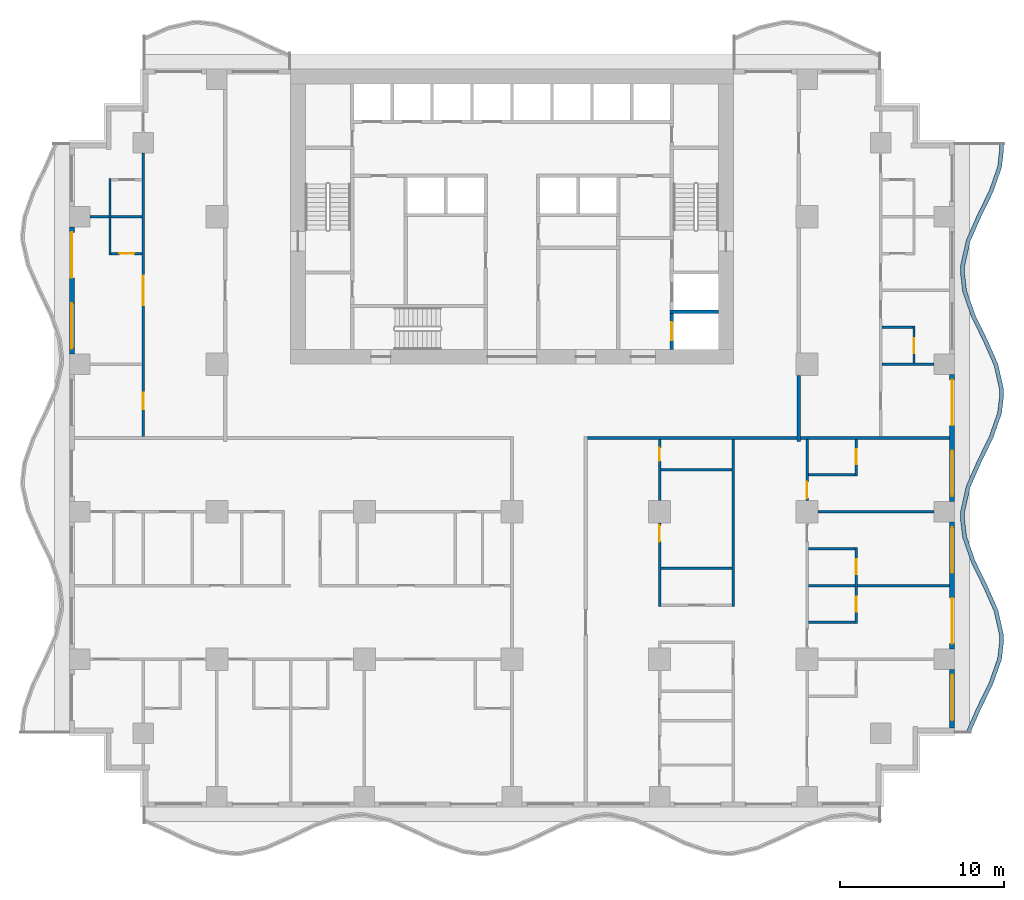
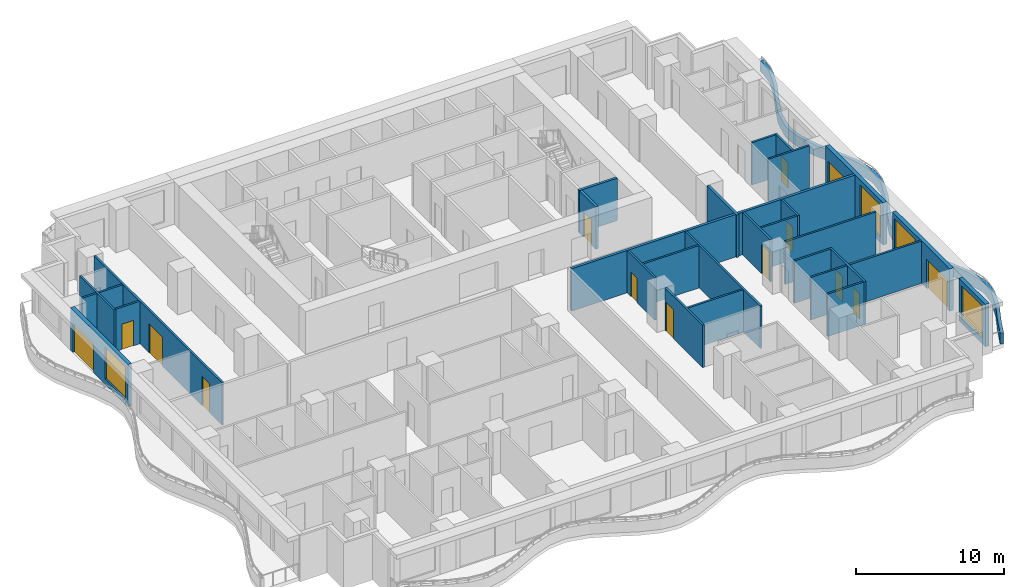
# One storey, part 4 of 14: 32 walls, 14 doors, 4 windows, 18 openings.
"""IFC4 building model written with IfcOpenShell, lengths in metres."""

import ifcopenshell
import ifcopenshell.guid

model = None  # the IFC model being written
_history = None  # IfcOwnerHistory: only IFC2X3 demands one
_inside = {}  # id of a spatial element -> (the spatial element, [elements in it])
_under = {}  # id of a project, library or spatial element -> (it, [spatial elements below it])
_declared = {}  # id of a project -> (the project, [libraries it declares])
_typed = {}  # id of a type object -> (the type object, [elements of that type])
_made_of = {}  # id of a material, layer set ... -> (it, [elements and type objects made of it])


def new_model(schema):
    """Start an empty IFC model of exactly this schema.

    Asked for "IFC4X3", IfcOpenShell would pick the latest addendum, in which some entities
    have other attributes; the version numbers below select the first issue.
    IFC2X3 requires an IfcOwnerHistory on every rooted entity: one is made here for all.
    """
    global model, _history
    if schema == "IFC4X3":
        model = ifcopenshell.file(schema_version=(4, 3, 0, 0))
    else:
        model = ifcopenshell.file(schema=schema)
    _inside.clear()
    _under.clear()
    _declared.clear()
    _typed.clear()
    _made_of.clear()
    _history = None
    if model.schema == "IFC2X3":
        org = make("IfcOrganization", Name="unknown")
        user = make(
            "IfcPersonAndOrganization",
            ThePerson=make("IfcPerson", FamilyName="unknown"),
            TheOrganization=org,
        )
        app = make(
            "IfcApplication",
            ApplicationDeveloper=org,
            Version="unknown",
            ApplicationFullName="unknown",
            ApplicationIdentifier="unknown",
        )
        _history = make(
            "IfcOwnerHistory",
            OwningUser=user,
            OwningApplication=app,
            ChangeAction="ADDED",
            CreationDate=0,
        )
    return model


def make(cls, **values):
    """One entity of the class cls with the attributes given. An attribute that is None is left unset."""
    return model.create_entity(
        cls, **{name: value for name, value in values.items() if value is not None}
    )


def rooted(cls, **values):
    """An entity with a GlobalId (a new one), such as an element, a storey or a relation."""
    return make(cls, GlobalId=ifcopenshell.guid.new(), OwnerHistory=_history, **values)


def si_unit(unit_type, name, prefix=None):
    """IfcSIUnit, for example si_unit("LENGTHUNIT", "METRE", prefix="MILLI")."""
    return make("IfcSIUnit", UnitType=unit_type, Prefix=prefix, Name=name)


def assignment(units):
    """IfcUnitAssignment: the units of a project."""
    return None if units is None else make("IfcUnitAssignment", Units=units)


def point(xyz):
    """IfcCartesianPoint."""
    return None if xyz is None else make("IfcCartesianPoint", Coordinates=xyz)


def direction(xyz):
    """IfcDirection."""
    return None if xyz is None else make("IfcDirection", DirectionRatios=xyz)


def frame(location, z_axis=None, x_axis=None):
    """IfcAxis2Placement3D, a coordinate frame: its origin and axes. An axis left out is left unset."""
    return make(
        "IfcAxis2Placement3D",
        Location=point(location),
        Axis=direction(z_axis),
        RefDirection=direction(x_axis),
    )


def frame_2d(location, x_axis=None):
    """IfcAxis2Placement2D, a coordinate frame in the plane: its origin and x axis."""
    return make(
        "IfcAxis2Placement2D", Location=point(location), RefDirection=direction(x_axis)
    )


def origin():
    """The frame at (0, 0, 0) with its axes left unset."""
    return frame((0.0, 0.0, 0.0))


def place(relative_to, where):
    """IfcLocalPlacement: puts the frame where relative to a parent placement (None: the world)."""
    return make(
        "IfcLocalPlacement", PlacementRelTo=relative_to, RelativePlacement=where
    )


def context(
    kind, dimensions, precision=None, world=None, true_north=None, identifier=None
):
    """IfcGeometricRepresentationContext, for example the 3D "Model" context."""
    return make(
        "IfcGeometricRepresentationContext",
        ContextIdentifier=identifier,
        ContextType=kind,
        CoordinateSpaceDimension=dimensions,
        Precision=precision,
        WorldCoordinateSystem=world,
        TrueNorth=true_north,
    )


def subcontext(parent, identifier, kind, view, scale=None):
    """IfcGeometricRepresentationSubContext, for example "Body" below "Model"."""
    return make(
        "IfcGeometricRepresentationSubContext",
        ContextIdentifier=identifier,
        ContextType=kind,
        ParentContext=parent,
        TargetScale=scale,
        TargetView=view,
    )


def project(units=None, contexts=None):
    """IfcProject with its units and contexts."""
    return rooted(
        "IfcProject",
        Name="project",
        RepresentationContexts=contexts,
        UnitsInContext=assignment(units),
    )


def spatial(cls, under=None, at=None, **own):
    """A site, building, storey or space (cls), placed at a placement, below another one or the project."""
    s = rooted(cls, ObjectPlacement=at, **own)
    if under is not None:
        _under.setdefault(under.id(), (under, []))[1].append(s)
    return s


def polyline(points):
    """IfcPolyline through the points."""
    return make("IfcPolyline", Points=[point(p) for p in points])


def profile(cls, at=None, kind="AREA", **sizes):
    """A parametric profile (cls). Its sizes go by their IFC names, for example OverallWidth=200.0."""
    return make(cls, ProfileType=kind, Position=at, **sizes)


def rectangle(**sizes):
    """IfcRectangleProfileDef."""
    return profile("IfcRectangleProfileDef", **sizes)


def outline(outer, holes=None, kind="AREA"):
    """IfcArbitraryClosedProfileDef: a profile drawn as a closed curve; with holes, ...WithVoids."""
    if holes is None:
        return make("IfcArbitraryClosedProfileDef", ProfileType=kind, OuterCurve=outer)
    return make(
        "IfcArbitraryProfileDefWithVoids",
        ProfileType=kind,
        OuterCurve=outer,
        InnerCurves=holes,
    )


def extrude(swept, where, along, depth):
    """IfcExtrudedAreaSolid: the profile swept, set in the frame where, extruded along a direction by depth."""
    return make(
        "IfcExtrudedAreaSolid",
        SweptArea=swept,
        Position=where,
        ExtrudedDirection=direction(along),
        Depth=depth,
    )


def shape(context_of_items, identifier, shape_type, items):
    """IfcShapeRepresentation: the items that make up one representation, for example the "Body"."""
    return make(
        "IfcShapeRepresentation",
        ContextOfItems=context_of_items,
        RepresentationIdentifier=identifier,
        RepresentationType=shape_type,
        Items=items,
    )


def material(Name=None, Category=None):
    """IfcMaterial."""
    return make("IfcMaterial", Name=Name, Category=Category)


def layer(
    of_material, thickness, ventilated=None, Name=None, Category=None, Priority=None
):
    """IfcMaterialLayer: one layer of a wall or slab, of a material (None: an air gap)."""
    return make(
        "IfcMaterialLayer",
        Material=of_material,
        LayerThickness=thickness,
        IsVentilated=ventilated,
        Name=Name,
        Category=Category,
        Priority=Priority,
    )


def layer_set(layers, Name=None):
    """IfcMaterialLayerSet."""
    return make("IfcMaterialLayerSet", MaterialLayers=layers, LayerSetName=Name)


def made_of(thing, what):
    """Note that an element or type object is made of a material, layer set ...; save() writes the relation."""
    if what is not None:
        _made_of.setdefault(what.id(), (what, []))[1].append(thing)
    return thing


def type_object(cls, material=None, **own):
    """A type object (cls), such as IfcWallType, which elements share."""
    return made_of(rooted(cls, **own), material)


def element(
    cls,
    number,
    at=None,
    inside=None,
    cuts=None,
    type_object=None,
    material=None,
    context=None,
    identifier="Body",
    shape_type=None,
    held_by="IfcProductDefinitionShape",
    body=None,
    shapes=None,
    **own,
):
    """One element of the class cls, such as IfcWall. Its Tag is "e" and its number.

    at: its placement. inside: the storey or other place that contains it. cuts: it is an
    opening in that element (IfcRelVoidsElement). A single representation is given by context,
    identifier, shape_type and body (its items); several are given by shapes. held_by: the class
    of the entity that holds the representations. save() writes the other relations.
    """
    e = rooted(cls, Tag="e%d" % number, ObjectPlacement=at, **own)
    if body is not None:
        shapes = [shape(context, identifier, shape_type, body)]
    if shapes is not None:
        e.Representation = make(held_by, Representations=shapes)
    if inside is not None:
        _inside.setdefault(inside.id(), (inside, []))[1].append(e)
    if cuts is not None:
        rooted(
            "IfcRelVoidsElement", RelatingBuildingElement=cuts, RelatedOpeningElement=e
        )
    if type_object is not None:
        _typed.setdefault(type_object.id(), (type_object, []))[1].append(e)
    return made_of(e, material)


def fill(opening, filler):
    """IfcRelFillsElement: the door or window that sits in an opening."""
    return rooted(
        "IfcRelFillsElement",
        RelatingOpeningElement=opening,
        RelatedBuildingElement=filler,
    )


def aggregate(whole, parts):
    """IfcRelAggregates: a whole, such as a stair, and the parts it consists of."""
    return rooted("IfcRelAggregates", RelatingObject=whole, RelatedObjects=parts)


def save(model, path):
    """Write the relations noted so far, then the file.

    IfcRelAggregates (storeys below a building ...), IfcRelContainedInSpatialStructure (elements
    in a storey), IfcRelDefinesByType, IfcRelAssociatesMaterial and IfcRelDeclares: one each for
    every whole, place, type object, material and project.
    """
    for whole, parts in _under.values():
        aggregate(whole, parts)
    for where, things in _inside.values():
        rooted(
            "IfcRelContainedInSpatialStructure",
            RelatedElements=things,
            RelatingStructure=where,
        )
    for kind, things in _typed.values():
        rooted("IfcRelDefinesByType", RelatedObjects=things, RelatingType=kind)
    for what, things in _made_of.values():
        rooted("IfcRelAssociatesMaterial", RelatedObjects=things, RelatingMaterial=what)
    for by, libraries in _declared.values():
        rooted("IfcRelDeclares", RelatingContext=by, RelatedDefinitions=libraries)
    model.write(path)


model = new_model("IFC4")

# Units and contexts
model_context = context("Model", 3, precision=1e-05, world=origin(), true_north=direction((0.0, 1.0)))
body_context = subcontext(model_context, "Body", "Model", "MODEL_VIEW")
ifc_project = project(units=[si_unit("LENGTHUNIT", "METRE"), si_unit("AREAUNIT", "SQUARE_METRE"), si_unit("VOLUMEUNIT", "CUBIC_METRE"), si_unit("PLANEANGLEUNIT", "RADIAN"), si_unit("MASSUNIT", "GRAM", prefix="KILO")], contexts=[model_context])

# Site, building, storey
site_placement = place(None, origin())
site = spatial("IfcSite", under=ifc_project, at=site_placement, CompositionType="ELEMENT")
building_placement = place(site_placement, origin())
building = spatial("IfcBuilding", under=site, at=building_placement, Name="Orbiselva Terraces", CompositionType="ELEMENT")
storey_placement = place(building_placement, frame((0.0, 0.0, 103.6)))
storey = spatial("IfcBuildingStorey", under=building, at=storey_placement, Name="L26", CompositionType="ELEMENT", Elevation=103.6)

# Wall, opening, door
ifc_material_1 = material(Name="Concrete C60/75", Category="concrete")
ifc_layer_1 = layer(ifc_material_1, 0.2)
ifc_layer_set_1 = layer_set([ifc_layer_1], Name="Concrete C60/75")
wall_type_1 = type_object("IfcWallType", Name="CORE-WALL-SHEAR-200", PredefinedType="SHEAR", material=ifc_layer_set_1)
wall_1_placement = place(storey_placement, frame((9.75, 5.4, 0.0), z_axis=(0.0, 0.0, 1.0), x_axis=(0.0, 1.0, 0.0)))
wall_1 = element("IfcWall", 1, at=wall_1_placement, inside=storey, type_object=wall_type_1, Name="L26 core wall 38", PredefinedType="SHEAR", context=body_context, shape_type="SweptSolid", body=[
    extrude(rectangle(XDim=2.2, YDim=0.2, at=frame_2d((1.1, 0.0))), origin(), (0.0, 0.0, 1.0), 3.5),
])
opening_1_placement = place(wall_1_placement, frame((0.55, 0.0, 0.0)))
opening_1 = element("IfcOpeningElement", 2, at=opening_1_placement, cuts=wall_1, Name="Opening LD-FF1", PredefinedType="OPENING", context=body_context, shape_type="SweptSolid", body=[
    extrude(rectangle(XDim=1.1, YDim=2.1, at=frame_2d((0.55, 1.05))), frame((0.0, 0.11, 0.0), z_axis=(0.0, -1.0, 0.0), x_axis=(1.0, 0.0, 0.0)), (0.0, 0.0, 1.0), 0.22),
])
ifc_material_2 = material(Name="Stainless steel landing door", Category="steel")
door_type_1 = type_object("IfcDoorType", Name="LANDING DOOR 1100", OperationType="SLIDING_TO_LEFT", PredefinedType="DOOR", material=ifc_material_2)
door_1_placement = place(opening_1_placement, origin())
door_1 = element("IfcDoor", 3, at=door_1_placement, inside=storey, type_object=door_type_1, Name="L26 landing door FF1", OperationType="SLIDING_TO_RIGHT", OverallHeight=2.1, OverallWidth=1.1, PredefinedType="DOOR", context=body_context, shape_type="SweptSolid", body=[
    extrude(rectangle(XDim=1.1, YDim=2.1, at=frame_2d((0.55, 1.05))), frame((0.0, 0.025, 0.0), z_axis=(0.0, -1.0, 0.0), x_axis=(1.0, 0.0, 0.0)), (0.0, 0.0, 1.0), 0.05),
])
fill(opening_1, door_1)

# Walls
wall_2_placement = place(storey_placement, frame((9.65, 7.7, 0.0), z_axis=(0.0, 0.0, 1.0), x_axis=(1.0, 0.0, 0.0)))
element("IfcWall", 4, at=wall_2_placement, inside=storey, type_object=wall_type_1, Name="L26 core wall 39", PredefinedType="SHEAR", context=body_context, shape_type="SweptSolid", body=[
    extrude(rectangle(XDim=2.95, YDim=0.2, at=frame_2d((1.475, 0.0))), origin(), (0.0, 0.0, 1.0), 3.5),
])
ifc_material_3 = material(Name="Concrete C40/50", Category="concrete")
ifc_layer_2 = layer(ifc_material_3, 0.25)
ifc_layer_set_2 = layer_set([ifc_layer_2], Name="Concrete C40/50")
wall_type_2 = type_object("IfcWallType", Name="ENV-PLANTER-250x900", PredefinedType="USERDEFINED", material=ifc_layer_set_2)
wall_3_placement = place(storey_placement, origin())
element("IfcWall", 5, at=wall_3_placement, inside=storey, type_object=wall_type_2, Name="Balcony planter L26 E", ObjectType="PLANTER", PredefinedType="USERDEFINED", context=body_context, shape_type="SweptSolid", body=[
    extrude(outline(polyline([(27.951472, -18.0), (28.612279, -16.5), (29.344789, -15.0), (29.869208, -13.5), (30.0, -12.375), (29.985226, -12.0), (29.648528, -10.5), (28.987721, -9.0), (28.255211, -7.5), (27.730792, -6.0), (27.6, -4.875), (27.614774, -4.5), (27.951472, -3.0), (28.612279, -1.5), (29.344789, 0.0), (29.869208, 1.5), (30.0, 2.625), (29.985226, 3.0), (29.648528, 4.5), (28.987721, 6.0), (28.255211, 7.5), (27.730792, 9.0), (27.6, 10.125), (27.614774, 10.5), (27.951472, 12.0), (28.612279, 13.5), (29.344789, 15.0), (29.869208, 16.5), (30.0, 17.625), (29.985226, 18.0), (29.73542, 17.990158), (29.749429, 17.634572), (29.624078, 16.556371), (29.113667, 15.09644), (28.385477, 13.605286), (27.712874, 12.078508), (27.365863, 10.532565), (27.349429, 10.115428), (27.485662, 8.943629), (28.024089, 7.40356), (28.760919, 5.894714), (29.40993, 4.421492), (29.736315, 2.967435), (29.749429, 2.634572), (29.624078, 1.556371), (29.113667, 0.09644), (28.385477, -1.394714), (27.712874, -2.921492), (27.365863, -4.467435), (27.349429, -4.884572), (27.485662, -6.056371), (28.024089, -7.59644), (28.760919, -9.105286), (29.40993, -10.578508), (29.736315, -12.032565), (29.749429, -12.365428), (29.624078, -13.443629), (29.113667, -14.90356), (28.385477, -16.394714), (27.722689, -17.899212), (27.951472, -18.0)])), origin(), (0.0, 0.0, 1.0), 0.9),
])

# Wall, opening, window
ifc_material_4 = material(Name="Terracotta cladding on masonry backing", Category="masonry")
ifc_layer_3 = layer(ifc_material_4, 0.3)
ifc_layer_set_3 = layer_set([ifc_layer_3], Name="Terracotta cladding on masonry backing")
wall_type_3 = type_object("IfcWallType", Name="ENV-WALL-TERRACOTTA-300", PredefinedType="SOLIDWALL", material=ifc_layer_set_3)
wall_4_placement = place(storey_placement, frame((26.85, -14.125, 0.0), z_axis=(0.0, 0.0, 1.0), x_axis=(0.0, -1.0, 0.0)))
wall_4 = element("IfcWall", 6, at=wall_4_placement, inside=storey, type_object=wall_type_3, Name="Facade wall L26 E", PredefinedType="SOLIDWALL", context=body_context, shape_type="SweptSolid", body=[
    extrude(rectangle(XDim=3.575, YDim=0.3, at=frame_2d((1.7875, 0.0))), origin(), (0.0, 0.0, 1.0), 3.5),
])
opening_2_placement = place(wall_4_placement, frame((0.325, 0.0, 0.45)))
opening_2 = element("IfcOpeningElement", 7, at=opening_2_placement, cuts=wall_4, Name="Opening WN6", PredefinedType="OPENING", context=body_context, shape_type="SweptSolid", body=[
    extrude(rectangle(XDim=2.775, YDim=2.65, at=frame_2d((1.3875, 1.325))), frame((0.0, 0.16, 0.0), z_axis=(0.0, -1.0, 0.0), x_axis=(1.0, 0.0, 0.0)), (0.0, 0.0, 1.0), 0.32),
])
ifc_material_5 = material(Name="Clear low-e glazing in aluminium frame", Category="aluminium")
window_type = type_object("IfcWindowType", Name="WINDOW 2775 X 2650 S450", PartitioningType="TRIPLE_PANEL_VERTICAL", PredefinedType="WINDOW", material=ifc_material_5)
window_1_placement = place(opening_2_placement, origin())
window_1 = element("IfcWindow", 8, at=window_1_placement, inside=storey, type_object=window_type, Name="Window L26 E", OverallHeight=2.65, OverallWidth=2.775, PartitioningType="SINGLE_PANEL", PredefinedType="WINDOW", context=body_context, shape_type="SweptSolid", body=[
    extrude(rectangle(XDim=2.775, YDim=2.65, at=frame_2d((1.3875, 1.325))), frame((0.0, 0.03, 0.0), z_axis=(0.0, -1.0, 0.0), x_axis=(1.0, 0.0, 0.0)), (0.0, 0.0, 1.0), 0.06),
])
fill(opening_2, window_1)

# Wall, openings, door, window
wall_5_placement = place(storey_placement, frame((26.85, -5.125, 0.0), z_axis=(0.0, 0.0, 1.0), x_axis=(0.0, -1.0, 0.0)))
wall_5 = element("IfcWall", 9, at=wall_5_placement, inside=storey, type_object=wall_type_3, Name="Facade wall L26 E", PredefinedType="SOLIDWALL", context=body_context, shape_type="SweptSolid", body=[
    extrude(rectangle(XDim=7.75, YDim=0.3, at=frame_2d((3.875, 0.0))), origin(), (0.0, 0.0, 1.0), 3.5),
])
opening_3_placement = place(wall_5_placement, frame((4.65, 0.0, 0.0)))
opening_3 = element("IfcOpeningElement", 10, at=opening_3_placement, cuts=wall_5, Name="Opening Z2-D-E05", PredefinedType="OPENING", context=body_context, shape_type="SweptSolid", body=[
    extrude(rectangle(XDim=2.775, YDim=2.4, at=frame_2d((1.3875, 1.2))), frame((0.0, 0.16, 0.0), z_axis=(0.0, -1.0, 0.0), x_axis=(1.0, 0.0, 0.0)), (0.0, 0.0, 1.0), 0.32),
])
opening_4_placement = place(wall_5_placement, frame((0.325, 0.0, 0.45)))
opening_4 = element("IfcOpeningElement", 11, at=opening_4_placement, cuts=wall_5, Name="Opening WN6", PredefinedType="OPENING", context=body_context, shape_type="SweptSolid", body=[
    extrude(rectangle(XDim=2.775, YDim=2.65, at=frame_2d((1.3875, 1.325))), frame((0.0, 0.16, 0.0), z_axis=(0.0, -1.0, 0.0), x_axis=(1.0, 0.0, 0.0)), (0.0, 0.0, 1.0), 0.32),
])
door_type_2 = type_object("IfcDoorType", Name="BALCONY DOOR 2775 X 2400", OperationType="DOUBLE_DOOR_SLIDING", PredefinedType="DOOR", material=ifc_material_5)
door_2_placement = place(opening_3_placement, origin())
door_2 = element("IfcDoor", 12, at=door_2_placement, inside=storey, type_object=door_type_2, Name="Z2-D-E05", OperationType="SINGLE_SWING_LEFT", OverallHeight=2.4, OverallWidth=2.775, PredefinedType="DOOR", context=body_context, shape_type="SweptSolid", body=[
    extrude(rectangle(XDim=2.775, YDim=2.4, at=frame_2d((1.3875, 1.2))), frame((0.0, 0.025, 0.0), z_axis=(0.0, -1.0, 0.0), x_axis=(1.0, 0.0, 0.0)), (0.0, 0.0, 1.0), 0.05),
])
fill(opening_3, door_2)
window_2_placement = place(opening_4_placement, origin())
window_2 = element("IfcWindow", 13, at=window_2_placement, inside=storey, type_object=window_type, Name="Window L26 E", OverallHeight=2.65, OverallWidth=2.775, PartitioningType="SINGLE_PANEL", PredefinedType="WINDOW", context=body_context, shape_type="SweptSolid", body=[
    extrude(rectangle(XDim=2.775, YDim=2.65, at=frame_2d((1.3875, 1.325))), frame((0.0, 0.03, 0.0), z_axis=(0.0, -1.0, 0.0), x_axis=(1.0, 0.0, 0.0)), (0.0, 0.0, 1.0), 0.06),
])
fill(opening_4, window_2)

wall_6_placement = place(storey_placement, frame((26.85, 3.875, 0.0), z_axis=(0.0, 0.0, 1.0), x_axis=(0.0, -1.0, 0.0)))
wall_6 = element("IfcWall", 14, at=wall_6_placement, inside=storey, type_object=wall_type_3, Name="Facade wall L26 E", PredefinedType="SOLIDWALL", context=body_context, shape_type="SweptSolid", body=[
    extrude(rectangle(XDim=7.75, YDim=0.3, at=frame_2d((3.875, 0.0))), origin(), (0.0, 0.0, 1.0), 3.5),
])
opening_5_placement = place(wall_6_placement, frame((4.65, 0.0, 0.45)))
opening_5 = element("IfcOpeningElement", 15, at=opening_5_placement, cuts=wall_6, Name="Opening WN6", PredefinedType="OPENING", context=body_context, shape_type="SweptSolid", body=[
    extrude(rectangle(XDim=2.775, YDim=2.65, at=frame_2d((1.3875, 1.325))), frame((0.0, 0.16, 0.0), z_axis=(0.0, -1.0, 0.0), x_axis=(1.0, 0.0, 0.0)), (0.0, 0.0, 1.0), 0.32),
])
opening_6_placement = place(wall_6_placement, frame((0.325, 0.0, 0.0)))
opening_6 = element("IfcOpeningElement", 16, at=opening_6_placement, cuts=wall_6, Name="Opening Z2-D-E06", PredefinedType="OPENING", context=body_context, shape_type="SweptSolid", body=[
    extrude(rectangle(XDim=2.775, YDim=2.4, at=frame_2d((1.3875, 1.2))), frame((0.0, 0.16, 0.0), z_axis=(0.0, -1.0, 0.0), x_axis=(1.0, 0.0, 0.0)), (0.0, 0.0, 1.0), 0.32),
])
door_3_placement = place(opening_6_placement, origin())
door_3 = element("IfcDoor", 17, at=door_3_placement, inside=storey, type_object=door_type_2, Name="Z2-D-E06", OperationType="SINGLE_SWING_LEFT", OverallHeight=2.4, OverallWidth=2.775, PredefinedType="DOOR", context=body_context, shape_type="SweptSolid", body=[
    extrude(rectangle(XDim=2.775, YDim=2.4, at=frame_2d((1.3875, 1.2))), frame((0.0, 0.025, 0.0), z_axis=(0.0, -1.0, 0.0), x_axis=(1.0, 0.0, 0.0)), (0.0, 0.0, 1.0), 0.05),
])
fill(opening_6, door_3)
window_3_placement = place(opening_5_placement, origin())
window_3 = element("IfcWindow", 18, at=window_3_placement, inside=storey, type_object=window_type, Name="Window L26 E", OverallHeight=2.65, OverallWidth=2.775, PartitioningType="SINGLE_PANEL", PredefinedType="WINDOW", context=body_context, shape_type="SweptSolid", body=[
    extrude(rectangle(XDim=2.775, YDim=2.65, at=frame_2d((1.3875, 1.325))), frame((0.0, 0.03, 0.0), z_axis=(0.0, -1.0, 0.0), x_axis=(1.0, 0.0, 0.0)), (0.0, 0.0, 1.0), 0.06),
])
fill(opening_5, window_3)

wall_7_placement = place(storey_placement, frame((-26.85, 5.125, 0.0), z_axis=(0.0, 0.0, 1.0), x_axis=(0.0, 1.0, 0.0)))
wall_7 = element("IfcWall", 19, at=wall_7_placement, inside=storey, type_object=wall_type_3, Name="Facade wall L26 W", PredefinedType="SOLIDWALL", context=body_context, shape_type="SweptSolid", body=[
    extrude(rectangle(XDim=7.75, YDim=0.3, at=frame_2d((3.875, 0.0))), origin(), (0.0, 0.0, 1.0), 3.5),
])
opening_7_placement = place(wall_7_placement, frame((4.65, 0.0, 0.0)))
opening_7 = element("IfcOpeningElement", 20, at=opening_7_placement, cuts=wall_7, Name="Opening Z2-D-E10", PredefinedType="OPENING", context=body_context, shape_type="SweptSolid", body=[
    extrude(rectangle(XDim=2.775, YDim=2.4, at=frame_2d((1.3875, 1.2))), frame((0.0, 0.16, 0.0), z_axis=(0.0, -1.0, 0.0), x_axis=(1.0, 0.0, 0.0)), (0.0, 0.0, 1.0), 0.32),
])
opening_8_placement = place(wall_7_placement, frame((0.325, 0.0, 0.45)))
opening_8 = element("IfcOpeningElement", 21, at=opening_8_placement, cuts=wall_7, Name="Opening WN6", PredefinedType="OPENING", context=body_context, shape_type="SweptSolid", body=[
    extrude(rectangle(XDim=2.775, YDim=2.65, at=frame_2d((1.3875, 1.325))), frame((0.0, 0.16, 0.0), z_axis=(0.0, -1.0, 0.0), x_axis=(1.0, 0.0, 0.0)), (0.0, 0.0, 1.0), 0.32),
])
door_4_placement = place(opening_7_placement, origin())
door_4 = element("IfcDoor", 22, at=door_4_placement, inside=storey, type_object=door_type_2, Name="Z2-D-E10", OperationType="SINGLE_SWING_LEFT", OverallHeight=2.4, OverallWidth=2.775, PredefinedType="DOOR", context=body_context, shape_type="SweptSolid", body=[
    extrude(rectangle(XDim=2.775, YDim=2.4, at=frame_2d((1.3875, 1.2))), frame((0.0, 0.025, 0.0), z_axis=(0.0, -1.0, 0.0), x_axis=(1.0, 0.0, 0.0)), (0.0, 0.0, 1.0), 0.05),
])
fill(opening_7, door_4)
window_4_placement = place(opening_8_placement, origin())
window_4 = element("IfcWindow", 23, at=window_4_placement, inside=storey, type_object=window_type, Name="Window L26 W", OverallHeight=2.65, OverallWidth=2.775, PartitioningType="SINGLE_PANEL", PredefinedType="WINDOW", context=body_context, shape_type="SweptSolid", body=[
    extrude(rectangle(XDim=2.775, YDim=2.65, at=frame_2d((1.3875, 1.325))), frame((0.0, 0.03, 0.0), z_axis=(0.0, -1.0, 0.0), x_axis=(1.0, 0.0, 0.0)), (0.0, 0.0, 1.0), 0.06),
])
fill(opening_8, window_4)

# Walls
ifc_material_6 = material(Name="Plasterboard on steel stud partition", Category="steel")
ifc_layer_4 = layer(ifc_material_6, 0.2)
ifc_layer_set_4 = layer_set([ifc_layer_4], Name="Plasterboard on steel stud partition")
wall_type_4 = type_object("IfcWallType", Name="UNIT-ENTRANCE-WALL-200", PredefinedType="PARTITIONING", material=ifc_layer_set_4)
wall_8_placement = place(storey_placement, frame((4.6, 0.0, 0.0), z_axis=(0.0, 0.0, 1.0), x_axis=(1.0, 0.0, 0.0)))
element("IfcWall", 24, at=wall_8_placement, inside=storey, type_object=wall_type_4, Name="PARTITION L26-030", PredefinedType="PARTITIONING", context=body_context, shape_type="SweptSolid", body=[
    extrude(rectangle(XDim=12.8, YDim=0.2, at=frame_2d((6.4, 0.0))), origin(), (0.0, 0.0, 1.0), 3.5),
])
wall_9_placement = place(storey_placement, frame((17.5, -0.2, 0.0), z_axis=(0.0, 0.0, 1.0), x_axis=(0.0, 1.0, 0.0)))
element("IfcWall", 25, at=wall_9_placement, inside=storey, type_object=wall_type_4, Name="PARTITION L26-079", PredefinedType="PARTITIONING", context=body_context, shape_type="SweptSolid", body=[
    extrude(rectangle(XDim=4.025, YDim=0.2, at=frame_2d((2.0125, 0.0))), origin(), (0.0, 0.0, 1.0), 3.5),
])
ifc_layer_5 = layer(ifc_material_6, 0.15)
ifc_layer_set_5 = layer_set([ifc_layer_5], Name="Plasterboard on steel stud partition")
wall_type_5 = type_object("IfcWallType", Name="UNIT-PARTITION-150", PredefinedType="PARTITIONING", material=ifc_layer_set_5)
for number, where, z_axis, x_axis, name in (
    (26, (18.075, -11.25, 0.0), (0.0, 0.0, 1.0), (1.0, 0.0, 0.0), "PARTITION L26-014"),
    (27, (18.075, -9.0, 0.0), (0.0, 0.0, 1.0), (1.0, 0.0, 0.0), "PARTITION L26-018"),
):
    element("IfcWall", number, at=place(storey_placement, frame(where, z_axis=z_axis, x_axis=x_axis)), inside=storey, type_object=wall_type_5, Name=name, PredefinedType="PARTITIONING", context=body_context, shape_type="SweptSolid", body=[
        extrude(rectangle(XDim=2.85, YDim=0.15, at=frame_2d((1.425, 0.0))), origin(), (0.0, 0.0, 1.0), 3.5),
    ])
wall_10_placement = place(storey_placement, frame((21.075, -9.0, 0.0), z_axis=(0.0, 0.0, 1.0), x_axis=(1.0, 0.0, 0.0)))
element("IfcWall", 28, at=wall_10_placement, inside=storey, type_object=wall_type_5, Name="PARTITION L26-019", PredefinedType="PARTITIONING", context=body_context, shape_type="SweptSolid", body=[
    extrude(rectangle(XDim=5.625, YDim=0.15, at=frame_2d((2.8125, 0.0))), origin(), (0.0, 0.0, 1.0), 3.5),
])
wall_11_placement = place(storey_placement, frame((9.075, -7.95, 0.0), z_axis=(0.0, 0.0, 1.0), x_axis=(1.0, 0.0, 0.0)))
element("IfcWall", 29, at=wall_11_placement, inside=storey, type_object=wall_type_5, Name="PARTITION L26-020", PredefinedType="PARTITIONING", context=body_context, shape_type="SweptSolid", body=[
    extrude(rectangle(XDim=4.35, YDim=0.15, at=frame_2d((2.175, 0.0))), origin(), (0.0, 0.0, 1.0), 3.5),
])
wall_12_placement = place(storey_placement, frame((18.075, -6.75, 0.0), z_axis=(0.0, 0.0, 1.0), x_axis=(1.0, 0.0, 0.0)))
element("IfcWall", 30, at=wall_12_placement, inside=storey, type_object=wall_type_5, Name="PARTITION L26-021", PredefinedType="PARTITIONING", context=body_context, shape_type="SweptSolid", body=[
    extrude(rectangle(XDim=2.85, YDim=0.15, at=frame_2d((1.425, 0.0))), origin(), (0.0, 0.0, 1.0), 3.5),
])
wall_13_placement = place(storey_placement, frame((18.675, -4.5, 0.0), z_axis=(0.0, 0.0, 1.0), x_axis=(1.0, 0.0, 0.0)))
element("IfcWall", 31, at=wall_13_placement, inside=storey, type_object=wall_type_5, Name="PARTITION L26-026", PredefinedType="PARTITIONING", context=body_context, shape_type="SweptSolid", body=[
    extrude(rectangle(XDim=7.075, YDim=0.15, at=frame_2d((3.5375, 0.0))), origin(), (0.0, 0.0, 1.0), 3.5),
])
wall_14_placement = place(storey_placement, frame((18.075, -2.25, 0.0), z_axis=(0.0, 0.0, 1.0), x_axis=(1.0, 0.0, 0.0)))
element("IfcWall", 32, at=wall_14_placement, inside=storey, type_object=wall_type_5, Name="PARTITION L26-027", PredefinedType="PARTITIONING", context=body_context, shape_type="SweptSolid", body=[
    extrude(rectangle(XDim=2.85, YDim=0.15, at=frame_2d((1.425, 0.0))), origin(), (0.0, 0.0, 1.0), 3.5),
])
wall_15_placement = place(storey_placement, frame((9.075, -1.95, 0.0), z_axis=(0.0, 0.0, 1.0), x_axis=(1.0, 0.0, 0.0)))
element("IfcWall", 33, at=wall_15_placement, inside=storey, type_object=wall_type_5, Name="PARTITION L26-028", PredefinedType="PARTITIONING", context=body_context, shape_type="SweptSolid", body=[
    extrude(rectangle(XDim=4.35, YDim=0.15, at=frame_2d((2.175, 0.0))), origin(), (0.0, 0.0, 1.0), 3.5),
])
wall_16_placement = place(storey_placement, frame((22.575, 4.5, 0.0), z_axis=(0.0, 0.0, 1.0), x_axis=(1.0, 0.0, 0.0)))
element("IfcWall", 34, at=wall_16_placement, inside=storey, type_object=wall_type_5, Name="PARTITION L26-034", PredefinedType="PARTITIONING", context=body_context, shape_type="SweptSolid", body=[
    extrude(rectangle(XDim=3.175, YDim=0.15, at=frame_2d((1.5875, 0.0))), origin(), (0.0, 0.0, 1.0), 3.5),
])
wall_17_placement = place(storey_placement, frame((22.575, 6.75, 0.0), z_axis=(0.0, 0.0, 1.0), x_axis=(1.0, 0.0, 0.0)))
element("IfcWall", 35, at=wall_17_placement, inside=storey, type_object=wall_type_5, Name="PARTITION L26-035", PredefinedType="PARTITIONING", context=body_context, shape_type="SweptSolid", body=[
    extrude(rectangle(XDim=1.875, YDim=0.15, at=frame_2d((0.9375, 0.0))), origin(), (0.0, 0.0, 1.0), 3.5),
])

# Wall, opening, door
wall_18_placement = place(storey_placement, frame((-24.45, 11.25, 0.0), z_axis=(0.0, 0.0, 1.0), x_axis=(1.0, 0.0, 0.0)))
wall_18 = element("IfcWall", 36, at=wall_18_placement, inside=storey, type_object=wall_type_5, Name="PARTITION L26-037", PredefinedType="PARTITIONING", context=body_context, shape_type="SweptSolid", body=[
    extrude(rectangle(XDim=1.875, YDim=0.15, at=frame_2d((0.9375, 0.0))), origin(), (0.0, 0.0, 1.0), 3.5),
])
opening_9_placement = place(wall_18_placement, frame((0.5, 0.0, 0.0)))
opening_9 = element("IfcOpeningElement", 37, at=opening_9_placement, cuts=wall_18, Name="Opening Z2-D-04", PredefinedType="OPENING", context=body_context, shape_type="SweptSolid", body=[
    extrude(rectangle(XDim=0.9, YDim=2.1, at=frame_2d((0.45, 1.05))), frame((0.0, 0.085, 0.0), z_axis=(0.0, -1.0, 0.0), x_axis=(1.0, 0.0, 0.0)), (0.0, 0.0, 1.0), 0.17),
])
ifc_material_7 = material(Name="Painted timber door leaf", Category="wood")
door_type_3 = type_object("IfcDoorType", Name="BATH DOOR 900", OperationType="NOTDEFINED", PredefinedType="DOOR", material=ifc_material_7)
door_5_placement = place(opening_9_placement, origin())
door_5 = element("IfcDoor", 38, at=door_5_placement, inside=storey, type_object=door_type_3, Name="Z2-D-04", OperationType="SINGLE_SWING_RIGHT", OverallHeight=2.1, OverallWidth=0.9, PredefinedType="DOOR", context=body_context, shape_type="SweptSolid", body=[
    extrude(rectangle(XDim=0.9, YDim=2.1, at=frame_2d((0.45, 1.05))), frame((0.0, 0.025, 0.0), z_axis=(0.0, -1.0, 0.0), x_axis=(1.0, 0.0, 0.0)), (0.0, 0.0, 1.0), 0.05),
])
fill(opening_9, door_5)

# Walls
wall_19_placement = place(storey_placement, frame((-25.75, 13.5, 0.0), z_axis=(0.0, 0.0, 1.0), x_axis=(1.0, 0.0, 0.0)))
element("IfcWall", 39, at=wall_19_placement, inside=storey, type_object=wall_type_5, Name="PARTITION L26-039", PredefinedType="PARTITIONING", context=body_context, shape_type="SweptSolid", body=[
    extrude(rectangle(XDim=1.15, YDim=0.15, at=frame_2d((0.575, 0.0))), origin(), (0.0, 0.0, 1.0), 3.5),
])
wall_20_placement = place(storey_placement, frame((-24.45, 13.5, 0.0), z_axis=(0.0, 0.0, 1.0), x_axis=(1.0, 0.0, 0.0)))
element("IfcWall", 40, at=wall_20_placement, inside=storey, type_object=wall_type_5, Name="PARTITION L26-040", PredefinedType="PARTITIONING", context=body_context, shape_type="SweptSolid", body=[
    extrude(rectangle(XDim=1.875, YDim=0.15, at=frame_2d((0.9375, 0.0))), origin(), (0.0, 0.0, 1.0), 3.5),
])
wall_21_placement = place(storey_placement, frame((-24.525, 11.175, 0.0), z_axis=(0.0, 0.0, 1.0), x_axis=(0.0, 1.0, 0.0)))
element("IfcWall", 41, at=wall_21_placement, inside=storey, type_object=wall_type_5, Name="PARTITION L26-045", PredefinedType="PARTITIONING", context=body_context, shape_type="SweptSolid", body=[
    extrude(rectangle(XDim=4.65, YDim=0.15, at=frame_2d((2.325, 0.0))), origin(), (0.0, 0.0, 1.0), 3.5),
])

# Wall, openings, doors
wall_22_placement = place(storey_placement, frame((-22.5, 0.1, 0.0), z_axis=(0.0, 0.0, 1.0), x_axis=(0.0, 1.0, 0.0)))
wall_22 = element("IfcWall", 42, at=wall_22_placement, inside=storey, type_object=wall_type_5, Name="PARTITION L26-050", PredefinedType="PARTITIONING", context=body_context, shape_type="SweptSolid", body=[
    extrude(rectangle(XDim=17.275, YDim=0.15, at=frame_2d((8.6375, 0.0))), origin(), (0.0, 0.0, 1.0), 3.5),
])
opening_10_placement = place(wall_22_placement, frame((1.65, 0.0, 0.0)))
opening_10 = element("IfcOpeningElement", 43, at=opening_10_placement, cuts=wall_22, Name="Opening Z2-D-02", PredefinedType="OPENING", context=body_context, shape_type="SweptSolid", body=[
    extrude(rectangle(XDim=1.0, YDim=2.4, at=frame_2d((0.5, 1.2))), frame((0.0, 0.085, 0.0), z_axis=(0.0, -1.0, 0.0), x_axis=(1.0, 0.0, 0.0)), (0.0, 0.0, 1.0), 0.17),
])
opening_11_placement = place(wall_22_placement, frame((8.0, 0.0, 0.0)))
opening_11 = element("IfcOpeningElement", 44, at=opening_11_placement, cuts=wall_22, Name="Opening Z2-D-03", PredefinedType="OPENING", context=body_context, shape_type="SweptSolid", body=[
    extrude(rectangle(XDim=1.8, YDim=2.4, at=frame_2d((0.9, 1.2))), frame((0.0, 0.085, 0.0), z_axis=(0.0, -1.0, 0.0), x_axis=(1.0, 0.0, 0.0)), (0.0, 0.0, 1.0), 0.17),
])
door_type_4 = type_object("IfcDoorType", Name="DOUBLE DOOR 1800", OperationType="NOTDEFINED", PredefinedType="DOOR", material=ifc_material_7)
door_6_placement = place(opening_11_placement, origin())
door_6 = element("IfcDoor", 45, at=door_6_placement, inside=storey, type_object=door_type_4, Name="Z2-D-03", OperationType="DOUBLE_DOOR_SINGLE_SWING", OverallHeight=2.4, OverallWidth=1.8, PredefinedType="DOOR", context=body_context, shape_type="SweptSolid", body=[
    extrude(rectangle(XDim=1.8, YDim=2.4, at=frame_2d((0.9, 1.2))), frame((0.0, 0.025, 0.0), z_axis=(0.0, -1.0, 0.0), x_axis=(1.0, 0.0, 0.0)), (0.0, 0.0, 1.0), 0.05),
])
fill(opening_11, door_6)
door_type_5 = type_object("IfcDoorType", Name="ROOM DOOR 1000", OperationType="NOTDEFINED", PredefinedType="DOOR", material=ifc_material_7)
door_7_placement = place(opening_10_placement, origin())
door_7 = element("IfcDoor", 46, at=door_7_placement, inside=storey, type_object=door_type_5, Name="Z2-D-02", OperationType="SINGLE_SWING_LEFT", OverallHeight=2.4, OverallWidth=1.0, PredefinedType="DOOR", context=body_context, shape_type="SweptSolid", body=[
    extrude(rectangle(XDim=1.0, YDim=2.4, at=frame_2d((0.5, 1.2))), frame((0.0, 0.025, 0.0), z_axis=(0.0, -1.0, 0.0), x_axis=(1.0, 0.0, 0.0)), (0.0, 0.0, 1.0), 0.05),
])
fill(opening_10, door_7)

# Wall, opening, door
wall_23_placement = place(storey_placement, frame((9.0, -5.175, 0.0), z_axis=(0.0, 0.0, 1.0), x_axis=(0.0, -1.0, 0.0)))
wall_23 = element("IfcWall", 47, at=wall_23_placement, inside=storey, type_object=wall_type_5, Name="PARTITION L26-075", PredefinedType="PARTITIONING", context=body_context, shape_type="SweptSolid", body=[
    extrude(rectangle(XDim=5.1, YDim=0.15, at=frame_2d((2.55, 0.0))), origin(), (0.0, 0.0, 1.0), 3.5),
])
opening_12_placement = place(wall_23_placement, frame((0.15, 0.0, 0.0)))
opening_12 = element("IfcOpeningElement", 48, at=opening_12_placement, cuts=wall_23, Name="Opening Z2-D-36", PredefinedType="OPENING", context=body_context, shape_type="SweptSolid", body=[
    extrude(rectangle(XDim=1.0, YDim=2.4, at=frame_2d((0.5, 1.2))), frame((0.0, 0.085, 0.0), z_axis=(0.0, -1.0, 0.0), x_axis=(1.0, 0.0, 0.0)), (0.0, 0.0, 1.0), 0.17),
])
door_8_placement = place(opening_12_placement, origin())
door_8 = element("IfcDoor", 49, at=door_8_placement, inside=storey, type_object=door_type_5, Name="Z2-D-36", OperationType="SINGLE_SWING_LEFT", OverallHeight=2.4, OverallWidth=1.0, PredefinedType="DOOR", context=body_context, shape_type="SweptSolid", body=[
    extrude(rectangle(XDim=1.0, YDim=2.4, at=frame_2d((0.5, 1.2))), frame((0.0, 0.025, 0.0), z_axis=(0.0, -1.0, 0.0), x_axis=(1.0, 0.0, 0.0)), (0.0, 0.0, 1.0), 0.05),
])
fill(opening_12, door_8)

wall_24_placement = place(storey_placement, frame((9.0, -0.1, 0.0), z_axis=(0.0, 0.0, 1.0), x_axis=(0.0, -1.0, 0.0)))
wall_24 = element("IfcWall", 50, at=wall_24_placement, inside=storey, type_object=wall_type_5, Name="PARTITION L26-076", PredefinedType="PARTITIONING", context=body_context, shape_type="SweptSolid", body=[
    extrude(rectangle(XDim=3.725, YDim=0.15, at=frame_2d((1.8625, 0.0))), origin(), (0.0, 0.0, 1.0), 3.5),
])
opening_13_placement = place(wall_24_placement, frame((0.5, 0.0, 0.0)))
opening_13 = element("IfcOpeningElement", 51, at=opening_13_placement, cuts=wall_24, Name="Opening Z2-D-35", PredefinedType="OPENING", context=body_context, shape_type="SweptSolid", body=[
    extrude(rectangle(XDim=0.8, YDim=2.0, at=frame_2d((0.4, 1.0))), frame((0.0, 0.085, 0.0), z_axis=(0.0, -1.0, 0.0), x_axis=(1.0, 0.0, 0.0)), (0.0, 0.0, 1.0), 0.17),
])
door_type_6 = type_object("IfcDoorType", Name="STORE DOOR 800", OperationType="NOTDEFINED", PredefinedType="DOOR", material=ifc_material_7)
door_9_placement = place(opening_13_placement, origin())
door_9 = element("IfcDoor", 52, at=door_9_placement, inside=storey, type_object=door_type_6, Name="Z2-D-35", OperationType="SINGLE_SWING_LEFT", OverallHeight=2.0, OverallWidth=0.8, PredefinedType="DOOR", context=body_context, shape_type="SweptSolid", body=[
    extrude(rectangle(XDim=0.8, YDim=2.0, at=frame_2d((0.4, 1.0))), frame((0.0, 0.025, 0.0), z_axis=(0.0, -1.0, 0.0), x_axis=(1.0, 0.0, 0.0)), (0.0, 0.0, 1.0), 0.05),
])
fill(opening_13, door_9)

# Wall
wall_25_placement = place(storey_placement, frame((13.5, -10.275, 0.0), z_axis=(0.0, 0.0, 1.0), x_axis=(0.0, 1.0, 0.0)))
element("IfcWall", 53, at=wall_25_placement, inside=storey, type_object=wall_type_5, Name="PARTITION L26-078", PredefinedType="PARTITIONING", context=body_context, shape_type="SweptSolid", body=[
    extrude(rectangle(XDim=10.175, YDim=0.15, at=frame_2d((5.0875, 0.0))), origin(), (0.0, 0.0, 1.0), 3.5),
])

# Wall, opening, door
wall_26_placement = place(storey_placement, frame((18.0, -0.1, 0.0), z_axis=(0.0, 0.0, 1.0), x_axis=(0.0, -1.0, 0.0)))
wall_26 = element("IfcWall", 54, at=wall_26_placement, inside=storey, type_object=wall_type_5, Name="PARTITION L26-084", PredefinedType="PARTITIONING", context=body_context, shape_type="SweptSolid", body=[
    extrude(rectangle(XDim=3.725, YDim=0.15, at=frame_2d((1.8625, 0.0))), origin(), (0.0, 0.0, 1.0), 3.5),
])
opening_14_placement = place(wall_26_placement, frame((2.575, 0.0, 0.0)))
opening_14 = element("IfcOpeningElement", 55, at=opening_14_placement, cuts=wall_26, Name="Opening Z2-D-42", PredefinedType="OPENING", context=body_context, shape_type="SweptSolid", body=[
    extrude(rectangle(XDim=1.0, YDim=2.4, at=frame_2d((0.5, 1.2))), frame((0.0, 0.085, 0.0), z_axis=(0.0, -1.0, 0.0), x_axis=(1.0, 0.0, 0.0)), (0.0, 0.0, 1.0), 0.17),
])
door_10_placement = place(opening_14_placement, origin())
door_10 = element("IfcDoor", 56, at=door_10_placement, inside=storey, type_object=door_type_5, Name="Z2-D-42", OperationType="SINGLE_SWING_RIGHT", OverallHeight=2.4, OverallWidth=1.0, PredefinedType="DOOR", context=body_context, shape_type="SweptSolid", body=[
    extrude(rectangle(XDim=1.0, YDim=2.4, at=frame_2d((0.5, 1.2))), frame((0.0, 0.025, 0.0), z_axis=(0.0, -1.0, 0.0), x_axis=(1.0, 0.0, 0.0)), (0.0, 0.0, 1.0), 0.05),
])
fill(opening_14, door_10)

# Wall, openings, doors
wall_27_placement = place(storey_placement, frame((21.0, -11.325, 0.0), z_axis=(0.0, 0.0, 1.0), x_axis=(0.0, 1.0, 0.0)))
wall_27 = element("IfcWall", 57, at=wall_27_placement, inside=storey, type_object=wall_type_5, Name="PARTITION L26-086", PredefinedType="PARTITIONING", context=body_context, shape_type="SweptSolid", body=[
    extrude(rectangle(XDim=4.65, YDim=0.15, at=frame_2d((2.325, 0.0))), origin(), (0.0, 0.0, 1.0), 3.5),
])
opening_15_placement = place(wall_27_placement, frame((3.025, 0.0, 0.0)))
opening_15 = element("IfcOpeningElement", 58, at=opening_15_placement, cuts=wall_27, Name="Opening Z2-D-45", PredefinedType="OPENING", context=body_context, shape_type="SweptSolid", body=[
    extrude(rectangle(XDim=0.9, YDim=2.1, at=frame_2d((0.45, 1.05))), frame((0.0, 0.085, 0.0), z_axis=(0.0, -1.0, 0.0), x_axis=(1.0, 0.0, 0.0)), (0.0, 0.0, 1.0), 0.17),
])
opening_16_placement = place(wall_27_placement, frame((0.725, 0.0, 0.0)))
opening_16 = element("IfcOpeningElement", 59, at=opening_16_placement, cuts=wall_27, Name="Opening Z2-D-47", PredefinedType="OPENING", context=body_context, shape_type="SweptSolid", body=[
    extrude(rectangle(XDim=0.9, YDim=2.1, at=frame_2d((0.45, 1.05))), frame((0.0, 0.085, 0.0), z_axis=(0.0, -1.0, 0.0), x_axis=(1.0, 0.0, 0.0)), (0.0, 0.0, 1.0), 0.17),
])
door_11_placement = place(opening_15_placement, origin())
door_11 = element("IfcDoor", 60, at=door_11_placement, inside=storey, type_object=door_type_3, Name="Z2-D-45", OperationType="SINGLE_SWING_RIGHT", OverallHeight=2.1, OverallWidth=0.9, PredefinedType="DOOR", context=body_context, shape_type="SweptSolid", body=[
    extrude(rectangle(XDim=0.9, YDim=2.1, at=frame_2d((0.45, 1.05))), frame((0.0, 0.025, 0.0), z_axis=(0.0, -1.0, 0.0), x_axis=(1.0, 0.0, 0.0)), (0.0, 0.0, 1.0), 0.05),
])
fill(opening_15, door_11)
door_12_placement = place(opening_16_placement, origin())
door_12 = element("IfcDoor", 61, at=door_12_placement, inside=storey, type_object=door_type_3, Name="Z2-D-47", OperationType="SINGLE_SWING_LEFT", OverallHeight=2.1, OverallWidth=0.9, PredefinedType="DOOR", context=body_context, shape_type="SweptSolid", body=[
    extrude(rectangle(XDim=0.9, YDim=2.1, at=frame_2d((0.45, 1.05))), frame((0.0, 0.025, 0.0), z_axis=(0.0, -1.0, 0.0), x_axis=(1.0, 0.0, 0.0)), (0.0, 0.0, 1.0), 0.05),
])
fill(opening_16, door_12)

# Wall, opening, door
wall_28_placement = place(storey_placement, frame((21.0, -2.325, 0.0), z_axis=(0.0, 0.0, 1.0), x_axis=(0.0, 1.0, 0.0)))
wall_28 = element("IfcWall", 62, at=wall_28_placement, inside=storey, type_object=wall_type_5, Name="PARTITION L26-087", PredefinedType="PARTITIONING", context=body_context, shape_type="SweptSolid", body=[
    extrude(rectangle(XDim=2.225, YDim=0.15, at=frame_2d((1.1125, 0.0))), origin(), (0.0, 0.0, 1.0), 3.5),
])
opening_17_placement = place(wall_28_placement, frame((0.725, 0.0, 0.0)))
opening_17 = element("IfcOpeningElement", 63, at=opening_17_placement, cuts=wall_28, Name="Opening Z2-D-43", PredefinedType="OPENING", context=body_context, shape_type="SweptSolid", body=[
    extrude(rectangle(XDim=0.9, YDim=2.1, at=frame_2d((0.45, 1.05))), frame((0.0, 0.085, 0.0), z_axis=(0.0, -1.0, 0.0), x_axis=(1.0, 0.0, 0.0)), (0.0, 0.0, 1.0), 0.17),
])
door_13_placement = place(opening_17_placement, origin())
door_13 = element("IfcDoor", 64, at=door_13_placement, inside=storey, type_object=door_type_3, Name="Z2-D-43", OperationType="SINGLE_SWING_RIGHT", OverallHeight=2.1, OverallWidth=0.9, PredefinedType="DOOR", context=body_context, shape_type="SweptSolid", body=[
    extrude(rectangle(XDim=0.9, YDim=2.1, at=frame_2d((0.45, 1.05))), frame((0.0, 0.025, 0.0), z_axis=(0.0, -1.0, 0.0), x_axis=(1.0, 0.0, 0.0)), (0.0, 0.0, 1.0), 0.05),
])
fill(opening_17, door_13)

wall_29_placement = place(storey_placement, frame((24.525, 4.575, 0.0), z_axis=(0.0, 0.0, 1.0), x_axis=(0.0, 1.0, 0.0)))
wall_29 = element("IfcWall", 65, at=wall_29_placement, inside=storey, type_object=wall_type_5, Name="PARTITION L26-090", PredefinedType="PARTITIONING", context=body_context, shape_type="SweptSolid", body=[
    extrude(rectangle(XDim=2.25, YDim=0.15, at=frame_2d((1.125, 0.0))), origin(), (0.0, 0.0, 1.0), 3.5),
])
opening_18_placement = place(wall_29_placement, frame((0.6, 0.0, 0.0)))
opening_18 = element("IfcOpeningElement", 66, at=opening_18_placement, cuts=wall_29, Name="Opening Z2-D-10", PredefinedType="OPENING", context=body_context, shape_type="SweptSolid", body=[
    extrude(rectangle(XDim=0.9, YDim=2.1, at=frame_2d((0.45, 1.05))), frame((0.0, 0.085, 0.0), z_axis=(0.0, -1.0, 0.0), x_axis=(1.0, 0.0, 0.0)), (0.0, 0.0, 1.0), 0.17),
])
door_14_placement = place(opening_18_placement, origin())
door_14 = element("IfcDoor", 67, at=door_14_placement, inside=storey, type_object=door_type_3, Name="Z2-D-10", OperationType="SINGLE_SWING_LEFT", OverallHeight=2.1, OverallWidth=0.9, PredefinedType="DOOR", context=body_context, shape_type="SweptSolid", body=[
    extrude(rectangle(XDim=0.9, YDim=2.1, at=frame_2d((0.45, 1.05))), frame((0.0, 0.025, 0.0), z_axis=(0.0, -1.0, 0.0), x_axis=(1.0, 0.0, 0.0)), (0.0, 0.0, 1.0), 0.05),
])
fill(opening_18, door_14)

# Wall
ifc_layer_6 = layer(ifc_material_6, 0.2)
ifc_layer_set_6 = layer_set([ifc_layer_6], Name="Plasterboard on steel stud partition")
wall_type_6 = type_object("IfcWallType", Name="UNIT-PARTY-WALL-200", PredefinedType="PARTITIONING", material=ifc_layer_set_6)
wall_30_placement = place(storey_placement, frame((17.6, 0.0, 0.0), z_axis=(0.0, 0.0, 1.0), x_axis=(1.0, 0.0, 0.0)))
element("IfcWall", 68, at=wall_30_placement, inside=storey, type_object=wall_type_6, Name="PARTITION L26-032", PredefinedType="PARTITIONING", context=body_context, shape_type="SweptSolid", body=[
    extrude(rectangle(XDim=9.1, YDim=0.2, at=frame_2d((4.55, 0.0))), origin(), (0.0, 0.0, 1.0), 3.5),
])

save(model, "model.ifc")
